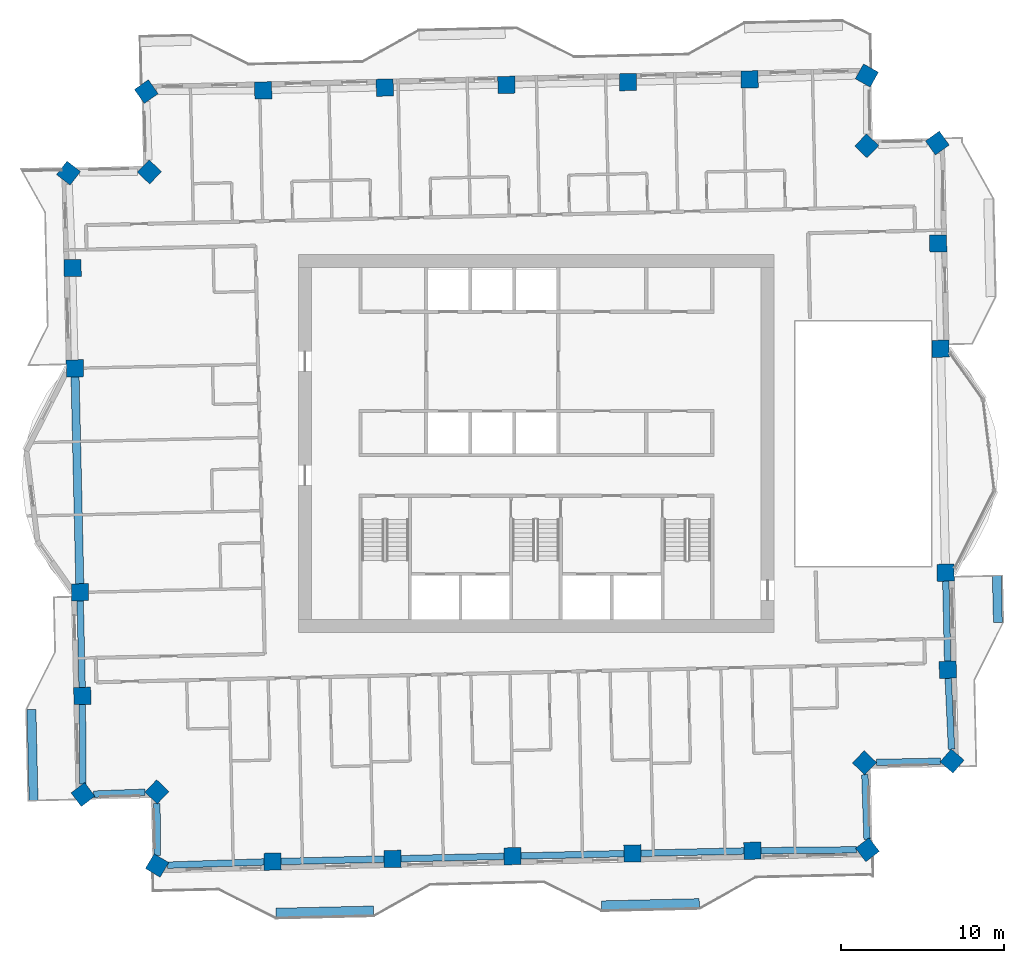
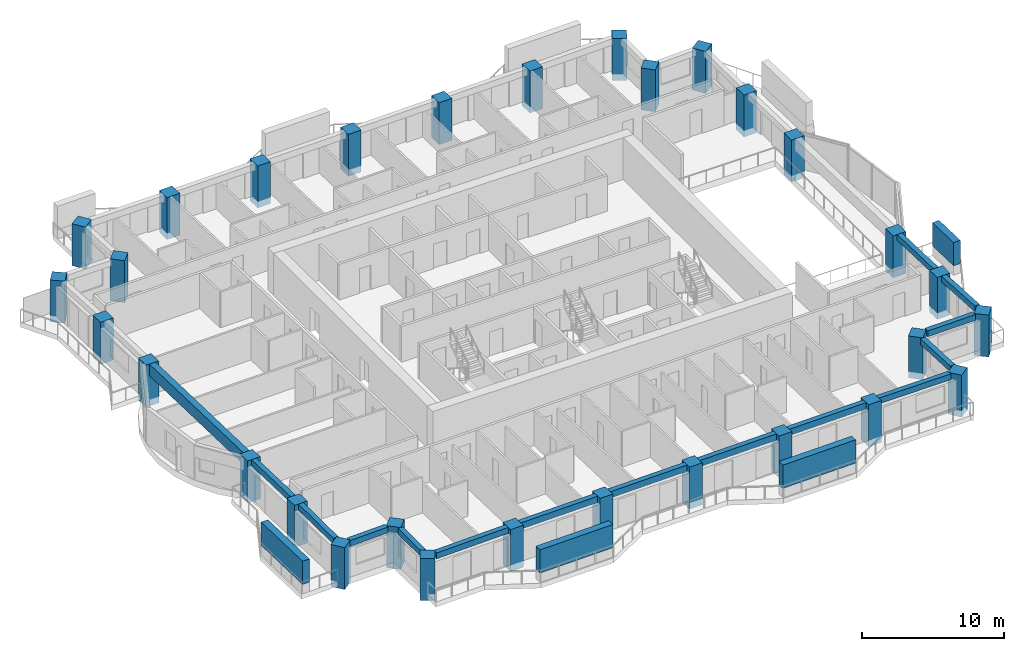
# One storey, part 1 of 17: 30 columns, 15 beams, 4 members.
"""IFC4 building model written with IfcOpenShell, lengths in metres."""

from ifc_helpers import new_model, si_unit, direction, frame, origin, origin_2d, place, context, subcontext, project, spatial, rectangle, extrude, material, material_profile, profile_set, type_object, element, save


model = new_model("IFC4")

# Units and contexts
model_context = context("Model", 3, precision=1e-05, world=origin(), true_north=direction((0.0, 1.0)))
body_context = subcontext(model_context, "Body", "Model", "MODEL_VIEW")
ifc_project = project(units=[si_unit("LENGTHUNIT", "METRE"), si_unit("AREAUNIT", "SQUARE_METRE"), si_unit("VOLUMEUNIT", "CUBIC_METRE"), si_unit("PLANEANGLEUNIT", "RADIAN"), si_unit("MASSUNIT", "GRAM", prefix="KILO")], contexts=[model_context])

# Site, building, storey
site_placement = place(None, origin())
site = spatial("IfcSite", under=ifc_project, at=site_placement, CompositionType="ELEMENT")
building_placement = place(site_placement, origin())
building = spatial("IfcBuilding", under=site, at=building_placement, Name="Mangrove Gate Tower", CompositionType="ELEMENT")
storey_placement = place(building_placement, frame((0.0, 0.0, 245.5)))
storey = spatial("IfcBuildingStorey", under=building, at=storey_placement, Name="L62", CompositionType="ELEMENT", Elevation=245.5)

# Columns
ifc_material_1 = material(Name="Concrete C60/75", Category="concrete")
ifc_material_profile_1 = material_profile(ifc_material_1, rectangle(XDim=1.050048828125, YDim=1.050048828125, at=origin_2d()))
ifc_profile_set_1 = profile_set([ifc_material_profile_1], Name="Concrete C60/75")
column_type = type_object("IfcColumnType", Name="Column RC 1050x1050 C60/75", PredefinedType="COLUMN", material=ifc_profile_set_1)
for number, where, z_axis, x_axis, name in (
    (1, (-28.01611328125, -9.1259765625, -0.550048828125), (0.0, 0.0, 1.0), (0.022671716894, -0.999742963593, 0.0), "Column L62 W05"),
    (2, (-27.8720703125, -15.487060546875, -0.550048828125), (0.0, 0.0, 1.0), (0.02271069751, -0.999742078848, 0.0), "Column L62 W06"),
    (3, (-27.83349609375, -21.54296875, -0.550048828125), (0.0, 0.0, 1.0), (0.604088172923, -0.796917485901, 0.0), "Column L62 W07"),
    (4, (-23.291259765625, -21.37646484375, -0.550048828125), (0.0, 0.0, 1.0), (0.722988982899, -0.690859559249, 0.0), "Column L62 W08"),
    (5, (-23.28125, -25.90234375, -0.550048828125), (0.0, 0.0, 1.0), (0.860102602096, -0.510121077655, 0.0), "Column L62 S01"),
    (6, (-16.19482421875, -25.662109375, -0.550048828125), (0.0, 0.0, 1.0), (0.999743095343, 0.022665906441, 0.0), "Column L62 S02"),
    (7, (-8.828857421875, -25.4951171875, -0.550048828125), (0.0, 0.0, 1.0), (0.999743095343, 0.022665906441, 0.0), "Column L62 S03"),
    (8, (-1.462890625, -25.328125, -0.550048828125), (0.0, 0.0, 1.0), (0.999743095343, 0.022665906441, 0.0), "Column L62 S04"),
    (9, (5.903076171875, -25.1611328125, -0.550048828125), (0.0, 0.0, 1.0), (0.999743095343, 0.022665906441, 0.0), "Column L62 S05"),
    (10, (13.26904296875, -24.994140625, -0.550048828125), (0.0, 0.0, 1.0), (0.999741555365, 0.022733729908, 0.0), "Column L62 S06"),
    (11, (20.3271484375, -24.934814453125, -0.550048828125), (0.0, 0.0, 1.0), (0.792957554961, 0.609276879612, 0.0), "Column L62 S07"),
    (12, (20.1455078125, -19.59033203125, -0.550048828125), (0.0, 0.0, 1.0), (0.690952060098, 0.72290058144, 0.0), "Column L62 E01"),
    (13, (25.52685546875, -19.486572265625, -0.550048828125), (0.0, 0.0, 1.0), (0.654234577243, 0.756291688398, 0.0), "Column L62 E02"),
    (14, (25.26318359375, -13.880859375, -0.550048828125), (0.0, 0.0, 1.0), (-0.022727116819, 0.999741705723, 0.0), "Column L62 E03"),
    (15, (25.128173828125, -7.9208984375, -0.550048828125), (0.0, 0.0, 1.0), (-0.022676462969, 0.999742855952, 0.0), "Column L62 E04"),
    (16, (24.816162109375, 5.826171875, -0.550048828125), (0.0, 0.0, 1.0), (-0.022707923152, 0.999742141868, 0.0), "Column L62 E05"),
    (17, (24.669189453125, 12.287109375, -0.550048828125), (0.0, 0.0, 1.0), (-0.022668680801, 0.999743032439, 0.0), "Column L62 E06"),
    (18, (24.620849609375, 18.454833984375, -0.550048828125), (0.0, 0.0, 1.0), (-0.581359179883, 0.813647038934, 0.0), "Column L62 E07"),
    (19, (20.286376953125, 18.280517578125, -0.550048828125), (0.0, 0.0, 1.0), (-0.722994264183, 0.690854032309, 0.0), "Column L62 E08"),
    (20, (20.29296875, 22.600830078125, -0.550048828125), (0.0, 0.0, 1.0), (-0.872897238591, 0.487904100064, 0.0), "Column L62 N01"),
    (21, (13.094970703125, 22.364013671875, -0.550048828125), (0.0, 0.0, 1.0), (-0.999742388325, -0.022697070002, 0.0), "Column L62 N02"),
    (22, (5.62890625, 22.195068359375, -0.550048828125), (0.0, 0.0, 1.0), (-0.999743905277, -0.022630153817, 0.0), "Column L62 N03"),
    (23, (-1.837158203125, 22.026123046875, -0.550048828125), (0.0, 0.0, 1.0), (-0.999742388325, -0.022697070002, 0.0), "Column L62 N04"),
    (24, (-9.302978515625, 21.856201171875, -0.550048828125), (0.0, 0.0, 1.0), (-0.999742388325, -0.022697070002, 0.0), "Column L62 N05"),
    (25, (-16.76904296875, 21.687255859375, -0.550048828125), (0.0, 0.0, 1.0), (-0.999742388325, -0.022697070002, 0.0), "Column L62 N06"),
    (26, (-23.945068359375, 21.612548828125, -0.550048828125), (0.0, 0.0, 1.0), (-0.818137935301, -0.575022015946, 0.0), "Column L62 N07"),
    (27, (-23.75439453125, 16.68115234375, -0.550048828125), (0.0, 0.0, 1.0), (-0.690946470748, -0.722905923728, 0.0), "Column L62 W01"),
    (28, (-28.718017578125, 16.608642578125, -0.550048828125), (0.0, 0.0, 1.0), (-0.612246894698, -0.790666642734, 0.0), "Column L62 W02"),
    (29, (-28.468017578125, 10.781005859375, -0.550048828125), (0.0, 0.0, 1.0), (0.022719561495, -0.999741877449, 0.0), "Column L62 W03"),
    (30, (-28.328125, 4.620849609375, -0.550048828125), (0.0, 0.0, 1.0), (0.022699722219, -0.999742328108, 0.0), "Column L62 W04"),
):
    element("IfcColumn", number, at=place(storey_placement, frame(where, z_axis=z_axis, x_axis=x_axis)), inside=storey, type_object=column_type, Name=name, PredefinedType="COLUMN", context=body_context, shape_type="SweptSolid", body=[
        extrude(rectangle(XDim=1.050048828125, YDim=1.050048828125, at=origin_2d()), origin(), (0.0, 0.0, 1.0), 3.60009765625),
    ])

# Members
ifc_material_2 = material(Name="Planting on aluminium trellis", Category="aluminium")
ifc_material_profile_2 = material_profile(ifc_material_2, rectangle(XDim=0.550048828125, YDim=2.0, at=origin_2d()))
ifc_profile_set_2 = profile_set([ifc_material_profile_2], Name="Planting on aluminium trellis")
member_type = type_object("IfcMemberType", Name="Balcony greenery screen 550x2000", PredefinedType="USERDEFINED", material=ifc_profile_set_2)
member_1_placement = place(storey_placement, frame((28.337890625, -10.972900390625, 1.800048828125), z_axis=(-0.02259214234, 0.99974476498, 0.0), x_axis=(-0.99974476498, -0.02259214234, 0.0)))
element("IfcMember", 31, at=member_1_placement, inside=storey, type_object=member_type, Name="GREEN SCREEN L62 E0.1", ObjectType="PLANTING", PredefinedType="USERDEFINED", context=body_context, shape_type="SweptSolid", body=[
    extrude(rectangle(XDim=0.550048828125, YDim=2.0, at=origin_2d()), origin(), (0.0, 0.0, 1.0), 2.87451171875),
])
member_2_placement = place(storey_placement, frame((-30.866943359375, -21.9189453125, 1.800048828125), z_axis=(-0.022672873977, 0.999742937352, 0.0), x_axis=(-0.999742937352, -0.022672873977, 0.0)))
element("IfcMember", 32, at=member_2_placement, inside=storey, type_object=member_type, Name="GREEN SCREEN L62 W1.1", ObjectType="PLANTING", PredefinedType="USERDEFINED", context=body_context, shape_type="SweptSolid", body=[
    extrude(rectangle(XDim=0.550048828125, YDim=2.0, at=origin_2d()), origin(), (0.0, 0.0, 1.0), 5.599365234375),
])
for number, where, z_axis, x_axis, name in (
    (33, (-15.988037109375, -28.798095703125, 1.800048828125), (0.999743178102, 0.022662255828, 0.0), (-0.022662255828, 0.999743178102, 0.0), "GREEN SCREEN L62 S0.1"),
    (34, (4.007080078125, -28.344970703125, 1.800048828125), (0.999743178102, 0.022662255828, 0.0), (-0.022662255828, 0.999743178102, 0.0), "GREEN SCREEN L62 S1.1"),
):
    element("IfcMember", number, at=place(storey_placement, frame(where, z_axis=z_axis, x_axis=x_axis)), inside=storey, type_object=member_type, Name=name, ObjectType="PLANTING", PredefinedType="USERDEFINED", context=body_context, shape_type="SweptSolid", body=[
        extrude(rectangle(XDim=0.550048828125, YDim=2.0, at=origin_2d()), origin(), (0.0, 0.0, 1.0), 6.00048828125),
    ])

# Beams
ifc_material_3 = material(Name="Concrete C50/60", Category="concrete")
ifc_material_profile_3 = material_profile(ifc_material_3, rectangle(XDim=0.39990234375, YDim=0.5, at=origin_2d()))
ifc_profile_set_3 = profile_set([ifc_material_profile_3], Name="Concrete C50/60")
beam_type_1 = type_object("IfcBeamType", Name="Edge beam RC 400x500 C50/60", PredefinedType="BEAM", material=ifc_profile_set_3)
beam_1_placement = place(storey_placement, frame((-28.004150390625, -9.65087890625, 2.800048828125), z_axis=(0.022609709445, -0.999744367846, 0.0), x_axis=(0.999744367846, 0.022609709445, 0.0)))
element("IfcBeam", 35, at=beam_1_placement, inside=storey, type_object=beam_type_1, Name="Edge beam L62 00", PredefinedType="BEAM", context=body_context, shape_type="SweptSolid", body=[
    extrude(rectangle(XDim=0.39990234375, YDim=0.5, at=origin_2d()), origin(), (0.0, 0.0, 1.0), 5.312744140625),
])
beam_2_placement = place(storey_placement, frame((-27.868896484375, -16.01220703125, 2.800048828125), z_axis=(0.006360047646, -0.999979774692, 0.0), x_axis=(0.999979774692, 0.006360047646, 0.0)))
element("IfcBeam", 36, at=beam_2_placement, inside=storey, type_object=beam_type_1, Name="Edge beam L62 01", PredefinedType="BEAM", context=body_context, shape_type="SweptSolid", body=[
    extrude(rectangle(XDim=0.39990234375, YDim=0.5, at=origin_2d()), origin(), (0.0, 0.0, 1.0), 4.875),
])
beam_3_placement = place(storey_placement, frame((-27.192626953125, -21.519287109375, 2.800048828125), z_axis=(0.999331289384, 0.036564655866, 0.0), x_axis=(-0.036564655866, 0.999331289384, 0.0)))
element("IfcBeam", 37, at=beam_3_placement, inside=storey, type_object=beam_type_1, Name="Edge beam L62 02", PredefinedType="BEAM", context=body_context, shape_type="SweptSolid", body=[
    extrude(rectangle(XDim=0.39990234375, YDim=0.5, at=origin_2d()), origin(), (0.0, 0.0, 1.0), 3.171630859375),
])
beam_4_placement = place(storey_placement, frame((-23.289794921875, -22.104248046875, 2.800048828125), z_axis=(0.002298140093, -0.999997359273, 0.0), x_axis=(0.999997359273, 0.002298140093, 0.0)))
element("IfcBeam", 38, at=beam_4_placement, inside=storey, type_object=beam_type_1, Name="Edge beam L62 03", PredefinedType="BEAM", context=body_context, shape_type="SweptSolid", body=[
    extrude(rectangle(XDim=0.39990234375, YDim=0.5, at=origin_2d()), origin(), (0.0, 0.0, 1.0), 3.18701171875),
])
beam_5_placement = place(storey_placement, frame((-22.658203125, -25.88134765625, 2.800048828125), z_axis=(0.999425310305, 0.033897627076, 0.0), x_axis=(-0.033897627076, 0.999425310305, 0.0)))
element("IfcBeam", 39, at=beam_5_placement, inside=storey, type_object=beam_type_1, Name="Edge beam L62 04", PredefinedType="BEAM", context=body_context, shape_type="SweptSolid", body=[
    extrude(rectangle(XDim=0.39990234375, YDim=0.5, at=origin_2d()), origin(), (0.0, 0.0, 1.0), 5.94189453125),
])
beam_6_placement = place(storey_placement, frame((13.794189453125, -24.98974609375, 2.800048828125), z_axis=(0.99996442022, 0.008435537621, 0.0), x_axis=(-0.008435537621, 0.99996442022, 0.0)))
element("IfcBeam", 40, at=beam_6_placement, inside=storey, type_object=beam_type_1, Name="Edge beam L62 09", PredefinedType="BEAM", context=body_context, shape_type="SweptSolid", body=[
    extrude(rectangle(XDim=0.39990234375, YDim=0.5, at=origin_2d()), origin(), (0.0, 0.0, 1.0), 5.875244140625),
])
beam_7_placement = place(storey_placement, frame((20.30517578125, -24.28955078125, 2.800048828125), z_axis=(-0.033964262913, 0.999423047986, 0.0), x_axis=(-0.999423047986, -0.033964262913, 0.0)))
element("IfcBeam", 41, at=beam_7_placement, inside=storey, type_object=beam_type_1, Name="Edge beam L62 10", PredefinedType="BEAM", context=body_context, shape_type="SweptSolid", body=[
    extrude(rectangle(XDim=0.39990234375, YDim=0.5, at=origin_2d()), origin(), (0.0, 0.0, 1.0), 3.9677734375),
])
beam_8_placement = place(storey_placement, frame((20.88525390625, -19.575927734375, 2.800048828125), z_axis=(0.999815162957, 0.019226021991, 0.0), x_axis=(-0.019226021991, 0.999815162957, 0.0)))
element("IfcBeam", 42, at=beam_8_placement, inside=storey, type_object=beam_type_1, Name="Edge beam L62 11", PredefinedType="BEAM", context=body_context, shape_type="SweptSolid", body=[
    extrude(rectangle(XDim=0.39990234375, YDim=0.5, at=origin_2d()), origin(), (0.0, 0.0, 1.0), 3.9365234375),
])
beam_9_placement = place(storey_placement, frame((25.492919921875, -18.762939453125, 2.800048828125), z_axis=(-0.047012059076, 0.998894321889, 0.0), x_axis=(-0.998894321889, -0.047012059076, 0.0)))
element("IfcBeam", 43, at=beam_9_placement, inside=storey, type_object=beam_type_1, Name="Edge beam L62 12", PredefinedType="BEAM", context=body_context, shape_type="SweptSolid", body=[
    extrude(rectangle(XDim=0.39990234375, YDim=0.5, at=origin_2d()), origin(), (0.0, 0.0, 1.0), 4.3623046875),
])
beam_10_placement = place(storey_placement, frame((25.251220703125, -13.35595703125, 2.800048828125), z_axis=(-0.022617522224, 0.999744191125, 0.0), x_axis=(-0.999744191125, -0.022617522224, 0.0)))
element("IfcBeam", 44, at=beam_10_placement, inside=storey, type_object=beam_type_1, Name="Edge beam L62 13", PredefinedType="BEAM", context=body_context, shape_type="SweptSolid", body=[
    extrude(rectangle(XDim=0.39990234375, YDim=0.5, at=origin_2d()), origin(), (0.0, 0.0, 1.0), 4.911376953125),
])
ifc_material_4 = material(Name="Concrete C50/60", Category="concrete")
ifc_material_profile_4 = material_profile(ifc_material_4, rectangle(XDim=0.39990234375, YDim=0.550048828125, at=origin_2d()))
ifc_profile_set_4 = profile_set([ifc_material_profile_4], Name="Concrete C50/60")
beam_type_2 = type_object("IfcBeamType", Name="Edge beam RC 400x550 C50/60", PredefinedType="BEAM", material=ifc_profile_set_4)
for number, where, z_axis, x_axis, name in (
    (45, (-15.669921875, -25.650146484375, 2.77490234375), (0.99974356829, 0.02264503618, 0.0), (-0.02264503618, 0.99974356829, 0.0), "Edge beam L62 05"),
    (46, (-8.303955078125, -25.483154296875, 2.77490234375), (0.99974356829, 0.02264503618, 0.0), (-0.02264503618, 0.99974356829, 0.0), "Edge beam L62 06"),
    (47, (-0.93798828125, -25.316162109375, 2.77490234375), (0.99974356829, 0.02264503618, 0.0), (-0.02264503618, 0.99974356829, 0.0), "Edge beam L62 07"),
    (48, (6.427978515625, -25.149169921875, 2.77490234375), (0.99974356829, 0.02264503618, 0.0), (-0.02264503618, 0.99974356829, 0.0), "Edge beam L62 08"),
):
    element("IfcBeam", number, at=place(storey_placement, frame(where, z_axis=z_axis, x_axis=x_axis)), inside=storey, type_object=beam_type_2, Name=name, PredefinedType="BEAM", context=body_context, shape_type="SweptSolid", body=[
        extrude(rectangle(XDim=0.39990234375, YDim=0.550048828125, at=origin_2d()), origin(), (0.0, 0.0, 1.0), 6.31787109375),
    ])
ifc_material_5 = material(Name="Concrete C50/60", Category="concrete")
ifc_material_profile_5 = material_profile(ifc_material_5, rectangle(XDim=0.5, YDim=1.0, at=origin_2d()))
ifc_profile_set_5 = profile_set([ifc_material_profile_5], Name="Concrete C50/60")
beam_type_3 = type_object("IfcBeamType", Name="Edge beam RC 500x1000 C50/60", PredefinedType="BEAM", material=ifc_profile_set_5)
beam_11_placement = place(storey_placement, frame((-28.316162109375, 4.095947265625, 2.550048828125), z_axis=(0.022682979457, -0.999742708122, 0.0), x_axis=(0.999742708122, 0.022682979457, 0.0)))
element("IfcBeam", 49, at=beam_11_placement, inside=storey, type_object=beam_type_3, Name="Edge beam L62 29", PredefinedType="BEAM", context=body_context, shape_type="SweptSolid", body=[
    extrude(rectangle(XDim=0.5, YDim=1.0, at=origin_2d()), origin(), (0.0, 0.0, 1.0), 12.700439453125),
])

save(model, "model.ifc")
